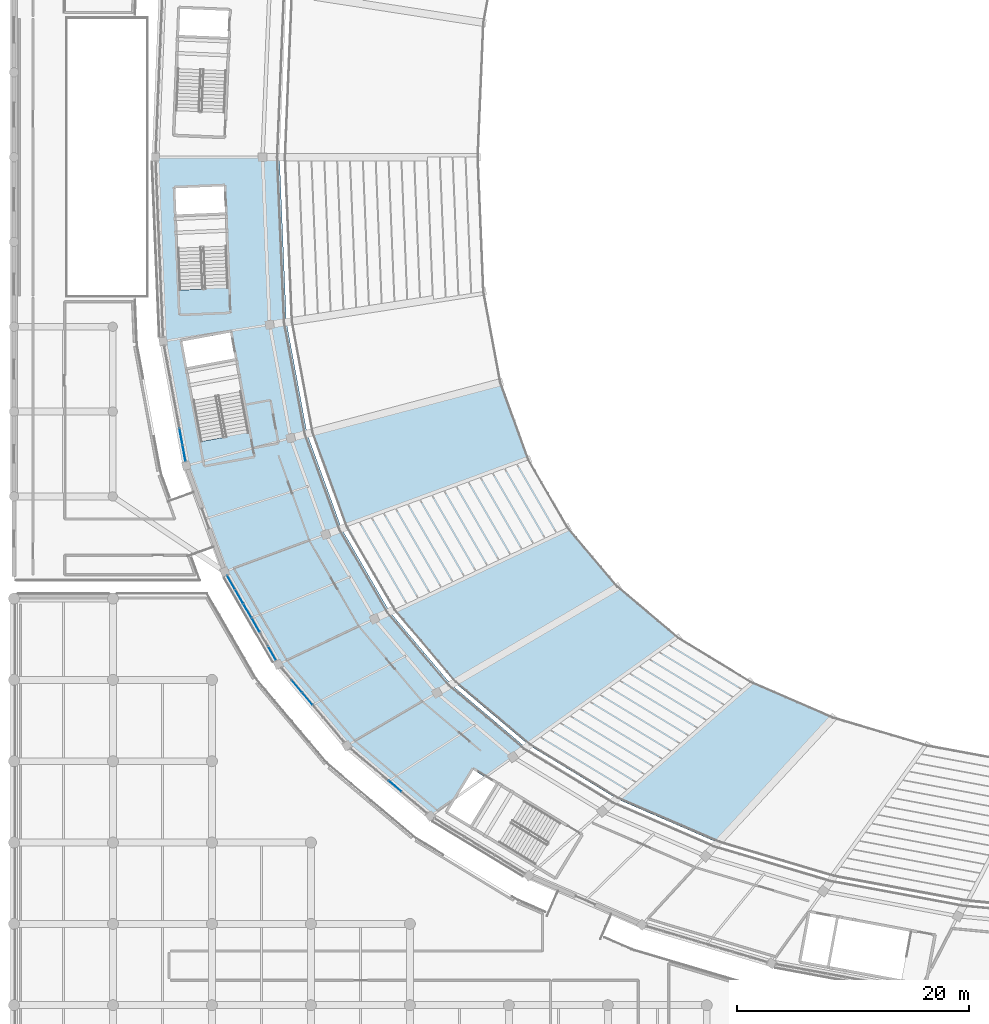
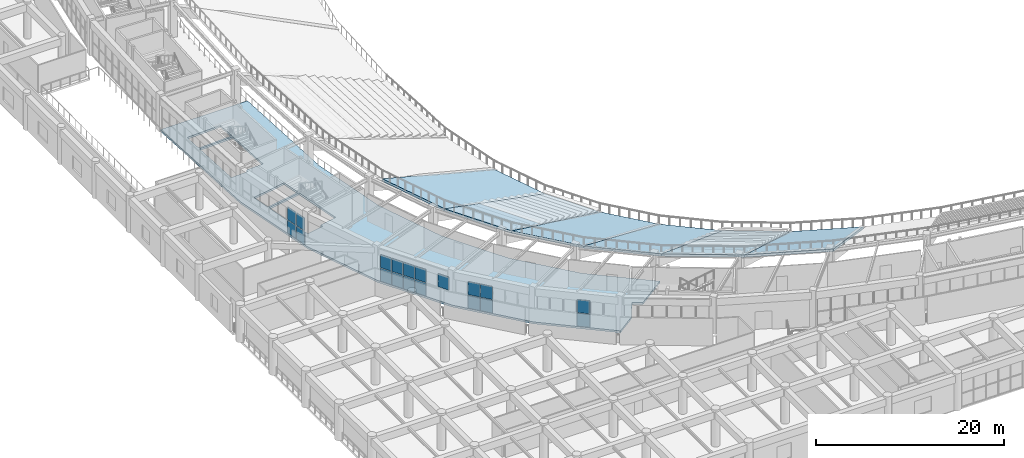
# One storey, part 75 of 137: 19 plates, 7 slabs, 4 elements without a shape of their own.
"""IFC4 building model written with IfcOpenShell, lengths in metres."""

from ifc_helpers import new_model, si_unit, direction, frame, origin, origin_2d, place, context, subcontext, project, spatial, polyline, rectangle, outline, extrude, material, layer, layer_set, type_object, element, aggregate, save


model = new_model("IFC4")

# Units and contexts
model_context = context("Model", 3, precision=1e-05, world=origin(), true_north=direction((0.0, 1.0)))
body_context = subcontext(model_context, "Body", "Model", "MODEL_VIEW")
ifc_project = project(units=[si_unit("LENGTHUNIT", "METRE"), si_unit("AREAUNIT", "SQUARE_METRE"), si_unit("VOLUMEUNIT", "CUBIC_METRE"), si_unit("PLANEANGLEUNIT", "RADIAN"), si_unit("MASSUNIT", "GRAM", prefix="KILO")], contexts=[model_context])

# Site, building, storey
site_placement = place(None, origin())
site = spatial("IfcSite", under=ifc_project, at=site_placement, CompositionType="ELEMENT")
building_placement = place(site_placement, origin())
building = spatial("IfcBuilding", under=site, at=building_placement, Name="Mphavela Belvedere Stadium", CompositionType="ELEMENT")
storey_placement = place(building_placement, frame((0.0, 0.0, 19.199951171875)))
storey = spatial("IfcBuildingStorey", under=building, at=storey_placement, Name="L04", CompositionType="ELEMENT", Elevation=19.199951171875)

# Curtain wall, plates
ifc_material_1 = material(Name="Anodised bronze unitised curtain wall framing")
ifc_layer_1 = layer(ifc_material_1, 0.18505859375)
ifc_layer_set_1 = layer_set([ifc_layer_1], Name="Anodised bronze unitised curtain wall framing")
curtain_wall_type_1 = type_object("IfcCurtainWallType", Name="CW-UNIT-02", PredefinedType="USERDEFINED", material=ifc_layer_set_1)
curtain_wall_1_placement = place(storey_placement, origin())
curtain_wall_1 = element("IfcCurtainWall", 1, at=curtain_wall_1_placement, inside=storey, type_object=curtain_wall_type_1, Name="Belvedere colonnade curtain wall L04-26", ObjectType="UNITISED CURTAIN WALL", PredefinedType="USERDEFINED")
ifc_material_2 = material(Name="Solar-control double glazing", Category="glass")
ifc_layer_2 = layer(ifc_material_2, 0.031982421875)
ifc_layer_set_2 = layer_set([ifc_layer_2], Name="Solar-control double glazing")
plate_type = type_object("IfcPlateType", Name="CWP-SOLAR-GLASS", PredefinedType="CURTAIN_PANEL", material=ifc_layer_set_2)
plate_1_placement = place(storey_placement, frame((14.37255859375, 62.9296875, 0.06005859375), z_axis=(0.0, 0.0, 1.0), x_axis=(0.182618040183, -0.98318393569, 0.0)))
plate_1 = element("IfcPlate", 2, at=plate_1_placement, type_object=plate_type, Name="CW-02 panel 6.1", PredefinedType="CURTAIN_PANEL", context=body_context, shape_type="SweptSolid", body=[
    extrude(rectangle(XDim=1.392822265625, YDim=0.031982421875, at=origin_2d()), origin(), (0.0, 0.0, 1.0), 1.695068359375),
])
plate_2_placement = place(storey_placement, frame((14.37255859375, 62.9296875, 1.81494140625), z_axis=(0.0, 0.0, 1.0), x_axis=(0.182618040183, -0.98318393569, 0.0)))
plate_2 = element("IfcPlate", 3, at=plate_2_placement, type_object=plate_type, Name="CW-02 panel 6.2", PredefinedType="CURTAIN_PANEL", context=body_context, shape_type="SweptSolid", body=[
    extrude(rectangle(XDim=1.392822265625, YDim=0.031982421875, at=origin_2d()), origin(), (0.0, 0.0, 1.0), 1.695068359375),
])
plate_3_placement = place(storey_placement, frame((14.6357421875, 61.51220703125, 0.06005859375), z_axis=(0.0, 0.0, 1.0), x_axis=(0.182618040183, -0.98318393569, 0.0)))
plate_3 = element("IfcPlate", 4, at=plate_3_placement, type_object=plate_type, Name="CW-02 panel 7.1", PredefinedType="CURTAIN_PANEL", context=body_context, shape_type="SweptSolid", body=[
    extrude(rectangle(XDim=1.3603515625, YDim=0.031982421875, at=origin_2d()), origin(), (0.0, 0.0, 1.0), 1.695068359375),
])
plate_4_placement = place(storey_placement, frame((14.6357421875, 61.51220703125, 1.81494140625), z_axis=(0.0, 0.0, 1.0), x_axis=(0.182618040183, -0.98318393569, 0.0)))
plate_4 = element("IfcPlate", 5, at=plate_4_placement, type_object=plate_type, Name="CW-02 panel 7.2", PredefinedType="CURTAIN_PANEL", context=body_context, shape_type="SweptSolid", body=[
    extrude(rectangle(XDim=1.3603515625, YDim=0.031982421875, at=origin_2d()), origin(), (0.0, 0.0, 1.0), 1.695068359375),
])
aggregate(curtain_wall_1, [plate_1, plate_2, plate_3, plate_4])

ifc_material_3 = material(Name="Anodised bronze unitised curtain wall framing")
ifc_layer_3 = layer(ifc_material_3, 0.18994140625)
ifc_layer_set_3 = layer_set([ifc_layer_3], Name="Anodised bronze unitised curtain wall framing")
curtain_wall_type_2 = type_object("IfcCurtainWallType", Name="CW-UNIT-03", PredefinedType="USERDEFINED", material=ifc_layer_set_3)
curtain_wall_2_placement = place(storey_placement, origin())
curtain_wall_2 = element("IfcCurtainWall", 6, at=curtain_wall_2_placement, inside=storey, type_object=curtain_wall_type_2, Name="Belvedere colonnade curtain wall L04-28", ObjectType="UNITISED CURTAIN WALL", PredefinedType="USERDEFINED")
plate_5_placement = place(storey_placement, frame((18.681640625, 50.3876953125, 0.06005859375), z_axis=(0.0, 0.0, 1.0), x_axis=(0.500555998906, -0.865704159606, 0.0)))
plate_5 = element("IfcPlate", 7, at=plate_5_placement, type_object=plate_type, Name="CW-03 panel 1.1", PredefinedType="CURTAIN_PANEL", context=body_context, shape_type="SweptSolid", body=[
    extrude(rectangle(XDim=1.32275390625, YDim=0.031982421875, at=origin_2d()), origin(), (0.0, 0.0, 1.0), 1.695068359375),
])
plate_6_placement = place(storey_placement, frame((18.681640625, 50.3876953125, 1.81494140625), z_axis=(0.0, 0.0, 1.0), x_axis=(0.500555998906, -0.865704159606, 0.0)))
plate_6 = element("IfcPlate", 8, at=plate_6_placement, type_object=plate_type, Name="CW-03 panel 1.2", PredefinedType="CURTAIN_PANEL", context=body_context, shape_type="SweptSolid", body=[
    extrude(rectangle(XDim=1.32275390625, YDim=0.031982421875, at=origin_2d()), origin(), (0.0, 0.0, 1.0), 1.695068359375),
])
plate_7_placement = place(storey_placement, frame((19.384521484375, 49.17236328125, 0.06005859375), z_axis=(0.0, 0.0, 1.0), x_axis=(0.500555998906, -0.865704159606, 0.0)))
plate_7 = element("IfcPlate", 9, at=plate_7_placement, type_object=plate_type, Name="CW-03 panel 2.1", PredefinedType="CURTAIN_PANEL", context=body_context, shape_type="SweptSolid", body=[
    extrude(rectangle(XDim=1.355224609375, YDim=0.031982421875, at=origin_2d()), origin(), (0.0, 0.0, 1.0), 1.695068359375),
])
plate_8_placement = place(storey_placement, frame((19.384521484375, 49.17236328125, 1.81494140625), z_axis=(0.0, 0.0, 1.0), x_axis=(0.500555998906, -0.865704159606, 0.0)))
plate_8 = element("IfcPlate", 10, at=plate_8_placement, type_object=plate_type, Name="CW-03 panel 2.2", PredefinedType="CURTAIN_PANEL", context=body_context, shape_type="SweptSolid", body=[
    extrude(rectangle(XDim=1.355224609375, YDim=0.031982421875, at=origin_2d()), origin(), (0.0, 0.0, 1.0), 1.695068359375),
])
plate_9_placement = place(storey_placement, frame((20.09521484375, 47.94287109375, 0.06005859375), z_axis=(0.0, 0.0, 1.0), x_axis=(0.500555998906, -0.865704159606, 0.0)))
plate_9 = element("IfcPlate", 11, at=plate_9_placement, type_object=plate_type, Name="CW-03 panel 3.1", PredefinedType="CURTAIN_PANEL", context=body_context, shape_type="SweptSolid", body=[
    extrude(rectangle(XDim=1.355224609375, YDim=0.031982421875, at=origin_2d()), origin(), (0.0, 0.0, 1.0), 1.695068359375),
])
plate_10_placement = place(storey_placement, frame((20.09521484375, 47.94287109375, 1.81494140625), z_axis=(0.0, 0.0, 1.0), x_axis=(0.500555998906, -0.865704159606, 0.0)))
plate_10 = element("IfcPlate", 12, at=plate_10_placement, type_object=plate_type, Name="CW-03 panel 3.2", PredefinedType="CURTAIN_PANEL", context=body_context, shape_type="SweptSolid", body=[
    extrude(rectangle(XDim=1.355224609375, YDim=0.031982421875, at=origin_2d()), origin(), (0.0, 0.0, 1.0), 1.695068359375),
])
plate_11_placement = place(storey_placement, frame((20.80615234375, 46.71337890625, 0.06005859375), z_axis=(0.0, 0.0, 1.0), x_axis=(0.500555998906, -0.865704159606, 0.0)))
plate_11 = element("IfcPlate", 13, at=plate_11_placement, type_object=plate_type, Name="CW-03 panel 4.1", PredefinedType="CURTAIN_PANEL", context=body_context, shape_type="SweptSolid", body=[
    extrude(rectangle(XDim=1.355224609375, YDim=0.031982421875, at=origin_2d()), origin(), (0.0, 0.0, 1.0), 1.695068359375),
])
plate_12_placement = place(storey_placement, frame((20.80615234375, 46.71337890625, 1.81494140625), z_axis=(0.0, 0.0, 1.0), x_axis=(0.500555998906, -0.865704159606, 0.0)))
plate_12 = element("IfcPlate", 14, at=plate_12_placement, type_object=plate_type, Name="CW-03 panel 4.2", PredefinedType="CURTAIN_PANEL", context=body_context, shape_type="SweptSolid", body=[
    extrude(rectangle(XDim=1.355224609375, YDim=0.031982421875, at=origin_2d()), origin(), (0.0, 0.0, 1.0), 1.695068359375),
])
plate_13_placement = place(storey_placement, frame((22.2197265625, 44.2685546875, 1.81494140625), z_axis=(0.0, 0.0, 1.0), x_axis=(0.500555998906, -0.865704159606, 0.0)))
plate_13 = element("IfcPlate", 15, at=plate_13_placement, type_object=plate_type, Name="CW-03 panel 6.2", PredefinedType="CURTAIN_PANEL", context=body_context, shape_type="SweptSolid", body=[
    extrude(rectangle(XDim=1.32275390625, YDim=0.031982421875, at=origin_2d()), origin(), (0.0, 0.0, 1.0), 1.695068359375),
])
aggregate(curtain_wall_2, [plate_5, plate_6, plate_7, plate_8, plate_9, plate_10, plate_11, plate_12, plate_13])

ifc_material_4 = material(Name="Anodised bronze unitised curtain wall framing")
ifc_layer_4 = layer(ifc_material_4, 0.195068359375)
ifc_layer_set_4 = layer_set([ifc_layer_4], Name="Anodised bronze unitised curtain wall framing")
curtain_wall_type_3 = type_object("IfcCurtainWallType", Name="CW-UNIT-04", PredefinedType="USERDEFINED", material=ifc_layer_set_4)
curtain_wall_3_placement = place(storey_placement, origin())
curtain_wall_3 = element("IfcCurtainWall", 16, at=curtain_wall_3_placement, inside=storey, type_object=curtain_wall_type_3, Name="Belvedere colonnade curtain wall L04-29", ObjectType="UNITISED CURTAIN WALL", PredefinedType="USERDEFINED")
plate_14_placement = place(storey_placement, frame((24.345703125, 41.45751953125, 0.06005859375), z_axis=(0.0, 0.0, 1.0), x_axis=(0.645175294774, -0.764034579723, 0.0)))
plate_14 = element("IfcPlate", 17, at=plate_14_placement, type_object=plate_type, Name="CW-04 panel 2.1", PredefinedType="CURTAIN_PANEL", context=body_context, shape_type="SweptSolid", body=[
    extrude(rectangle(XDim=1.34423828125, YDim=0.031982421875, at=origin_2d()), origin(), (0.0, 0.0, 1.0), 1.695068359375),
])
plate_15_placement = place(storey_placement, frame((24.345703125, 41.45751953125, 1.81494140625), z_axis=(0.0, 0.0, 1.0), x_axis=(0.645175294774, -0.764034579723, 0.0)))
plate_15 = element("IfcPlate", 18, at=plate_15_placement, type_object=plate_type, Name="CW-04 panel 2.2", PredefinedType="CURTAIN_PANEL", context=body_context, shape_type="SweptSolid", body=[
    extrude(rectangle(XDim=1.34423828125, YDim=0.031982421875, at=origin_2d()), origin(), (0.0, 0.0, 1.0), 1.695068359375),
])
plate_16_placement = place(storey_placement, frame((25.2548828125, 40.380859375, 0.06005859375), z_axis=(0.0, 0.0, 1.0), x_axis=(0.645175294774, -0.764034579723, 0.0)))
plate_16 = element("IfcPlate", 19, at=plate_16_placement, type_object=plate_type, Name="CW-04 panel 3.1", PredefinedType="CURTAIN_PANEL", context=body_context, shape_type="SweptSolid", body=[
    extrude(rectangle(XDim=1.34423828125, YDim=0.031982421875, at=origin_2d()), origin(), (0.0, 0.0, 1.0), 1.695068359375),
])
plate_17_placement = place(storey_placement, frame((25.2548828125, 40.380859375, 1.81494140625), z_axis=(0.0, 0.0, 1.0), x_axis=(0.645175294774, -0.764034579723, 0.0)))
plate_17 = element("IfcPlate", 20, at=plate_17_placement, type_object=plate_type, Name="CW-04 panel 3.2", PredefinedType="CURTAIN_PANEL", context=body_context, shape_type="SweptSolid", body=[
    extrude(rectangle(XDim=1.34423828125, YDim=0.031982421875, at=origin_2d()), origin(), (0.0, 0.0, 1.0), 1.695068359375),
])
aggregate(curtain_wall_3, [plate_14, plate_15, plate_16, plate_17])

ifc_material_5 = material(Name="Anodised bronze unitised curtain wall framing")
ifc_layer_5 = layer(ifc_material_5, 0.199951171875)
ifc_layer_set_5 = layer_set([ifc_layer_5], Name="Anodised bronze unitised curtain wall framing")
curtain_wall_type_4 = type_object("IfcCurtainWallType", Name="CW-UNIT-05", PredefinedType="USERDEFINED", material=ifc_layer_set_5)
curtain_wall_4_placement = place(storey_placement, origin())
curtain_wall_4 = element("IfcCurtainWall", 21, at=curtain_wall_4_placement, inside=storey, type_object=curtain_wall_type_4, Name="Belvedere colonnade curtain wall L04-30", ObjectType="UNITISED CURTAIN WALL", PredefinedType="USERDEFINED")
plate_18_placement = place(storey_placement, frame((32.807373046875, 32.848388671875, 0.06005859375), z_axis=(0.0, 0.0, 1.0), x_axis=(0.764253429051, -0.644916038089, 0.0)))
plate_18 = element("IfcPlate", 22, at=plate_18_placement, type_object=plate_type, Name="CW-05 panel 4.1", PredefinedType="CURTAIN_PANEL", context=body_context, shape_type="SweptSolid", body=[
    extrude(rectangle(XDim=1.38525390625, YDim=0.031982421875, at=origin_2d()), origin(), (0.0, 0.0, 1.0), 1.695068359375),
])
plate_19_placement = place(storey_placement, frame((32.807373046875, 32.848388671875, 1.81494140625), z_axis=(0.0, 0.0, 1.0), x_axis=(0.764253429051, -0.644916038089, 0.0)))
plate_19 = element("IfcPlate", 23, at=plate_19_placement, type_object=plate_type, Name="CW-05 panel 4.2", PredefinedType="CURTAIN_PANEL", context=body_context, shape_type="SweptSolid", body=[
    extrude(rectangle(XDim=1.38525390625, YDim=0.031982421875, at=origin_2d()), origin(), (0.0, 0.0, 1.0), 1.695068359375),
])
aggregate(curtain_wall_4, [plate_18, plate_19])

# Slabs
ifc_material_6 = material(Name="Concrete C40/50", Category="concrete")
ifc_layer_6 = layer(ifc_material_6, 0.25)
ifc_layer_set_6 = layer_set([ifc_layer_6], Name="Concrete C40/50")
slab_type_1 = type_object("IfcSlabType", Name="SLB-CONCOURSE-250", PredefinedType="FLOOR", material=ifc_layer_set_6)
slab_1_placement = place(storey_placement, frame((0.0, 0.0, -0.25)))
element("IfcSlab", 24, at=slab_1_placement, inside=storey, type_object=slab_type_1, Name="Concourse sector slab L04-S5", PredefinedType="FLOOR", context=body_context, shape_type="SweptSolid", body=[
    extrude(outline(polyline([(18.143798828125, 51.317626953125), (14.83544921875, 60.4375), (12.844482421875, 71.155029296875), (12.179931640625, 87.0), (22.85009765625, 87.0), (23.445556640625, 72.79931640625), (25.229736328125, 63.194091796875), (28.195068359375, 55.0205078125), (32.329833984375, 47.869384765625), (37.621337890625, 41.60302734375), (44.05859375, 36.1708984375), (40.532958984375, 33.644775390625), (39.5341796875, 34.252197265625), (38.10791015625, 31.9072265625), (35.844482421875, 30.285400390625), (28.66162109375, 36.346435546875), (22.757568359375, 43.33837890625), (18.143798828125, 51.317626953125)]), holes=[polyline([(16.327880859375, 75.97509765625), (18.421142578125, 76.062744140625), (18.17138671875, 82.017578125), (13.985107421875, 81.842041015625), (14.248779296875, 75.551513671875), (16.342041015625, 75.639404296875), (16.327880859375, 75.97509765625)]), polyline([(18.067626953125, 84.495361328125), (13.88134765625, 84.31982421875), (13.97607421875, 82.061767578125), (18.162353515625, 82.2373046875), (18.067626953125, 84.495361328125)]), polyline([(16.08642578125, 62.51025390625), (18.146240234375, 62.892578125), (18.0849609375, 63.222900390625), (20.144775390625, 63.60546875), (19.056396484375, 69.46533203125), (14.93701171875, 68.7001953125), (16.08642578125, 62.51025390625)]), polyline([(14.896728515625, 68.91650390625), (19.016357421875, 69.681640625), (18.603759765625, 71.903564453125), (14.484130859375, 71.138671875), (14.896728515625, 68.91650390625)])]), origin(), (0.0, 0.0, 1.0), 0.25),
])
ifc_material_7 = material(Name="Precast concrete C45/55", Category="concrete")
ifc_layer_7 = layer(ifc_material_7, 0.25)
ifc_layer_set_7 = layer_set([ifc_layer_7], Name="Precast concrete C45/55")
slab_type_2 = type_object("IfcSlabType", Name="SLB-TIER-UPPER", PredefinedType="USERDEFINED", material=ifc_layer_set_7)
slab_2_placement = place(storey_placement, frame((41.86083984375, 67.6044921875, -3.75), z_axis=(0.364303562407, 0.132165132408, 0.921854268414), x_axis=(0.341054048272, -0.940043688406, -6.732313e-06)))
element("IfcSlab", 25, at=slab_2_placement, inside=storey, type_object=slab_type_2, Name="Upper seating tier slab L04-27", ObjectType="SEATING TIER", PredefinedType="USERDEFINED", context=body_context, shape_type="SweptSolid", body=[
    extrude(outline(polyline([(0.0, 0.0), (7.083911744790468, 0.0), (7.166113396888669, -18.06292905996507), (-1.482716893265294, -18.062655749768563), (0.0, 0.0)])), origin(), (0.0, 0.0, -1.0), 0.25),
])
slab_3_placement = place(storey_placement, frame((44.27685546875, 60.9453125, -3.75), z_axis=(0.339708917201, 0.196414847885, 0.919792943605), x_axis=(0.500533096558, -0.865717401482, 4.561319e-06)))
element("IfcSlab", 26, at=slab_3_placement, inside=storey, type_object=slab_type_2, Name="Upper seating tier slab L04-28", ObjectType="SEATING TIER", PredefinedType="USERDEFINED", context=body_context, shape_type="SweptSolid", body=[
    extrude(outline(polyline([(0.0, 0.0), (6.730151721846243, 0.0), (5.379586547682475, -17.838693069106842), (-2.8374273694811505, -17.838866815507657), (0.0, 0.0)])), origin(), (0.0, 0.0, -1.0), 0.25),
])
slab_4_placement = place(storey_placement, frame((47.6455078125, 55.118896484375, -3.75), z_axis=(0.307633638893, 0.259771421762, 0.915358046153), x_axis=(0.645178517951, -0.764031857939, -5.43307e-06)))
element("IfcSlab", 27, at=slab_4_placement, inside=storey, type_object=slab_type_2, Name="Upper seating tier slab L04-29", ObjectType="SEATING TIER", PredefinedType="USERDEFINED", context=body_context, shape_type="SweptSolid", body=[
    extrude(outline(polyline([(0.0, 0.0), (6.682285561940349, -4.440892098500626e-16), (3.9394437872787362, -17.385274120978465), (-4.219265752703822, -17.385073862686518), (0.0, 0.0)])), origin(), (0.0, 0.0, -1.0), 0.25),
])
slab_5_placement = place(storey_placement, frame((51.956787109375, 50.013427734375, -3.75), z_axis=(0.26936235005, 0.319213787463, 0.908595885017), x_axis=(0.76424909441, -0.644921174734, 8.583252e-06)))
element("IfcSlab", 28, at=slab_5_placement, inside=storey, type_object=slab_type_2, Name="Upper seating tier slab L04-30", ObjectType="SEATING TIER", PredefinedType="USERDEFINED", context=body_context, shape_type="SweptSolid", body=[
    extrude(outline(polyline([(0.0, 0.0), (6.8624829349822045, -4.440892098500626e-16), (3.0041203220045305, -16.75932699972067), (-5.3745136956919755, -16.75964020480697), (0.0, 0.0)])), origin(), (0.0, 0.0, -1.0), 0.25),
])
slab_6_placement = place(storey_placement, frame((57.201416015625, 45.587646484375, -3.75), z_axis=(0.226551553649, 0.372390181398, 0.899999970187), x_axis=(0.854326477415, -0.519736731401, -4.594551e-06)))
element("IfcSlab", 29, at=slab_6_placement, inside=storey, type_object=slab_type_2, Name="Upper seating tier slab L04-31", ObjectType="SEATING TIER", PredefinedType="USERDEFINED", context=body_context, shape_type="SweptSolid", body=[
    extrude(outline(polyline([(0.0, 0.0), (7.230249505563686, 4.440892098500626e-16), (2.673516066064429, -16.059127284525168), (-6.154012566883175, -16.058958025546808), (0.0, 0.0)])), origin(), (0.0, 0.0, -1.0), 0.25),
])
slab_7_placement = place(storey_placement, frame((63.37841796875, 41.829833984375, -3.75), z_axis=(0.181043516058, 0.417651973305, 0.890387597896), x_axis=(0.917506392858, -0.397721031711, 4.38405e-07)))
element("IfcSlab", 30, at=slab_7_placement, inside=storey, type_object=slab_type_2, Name="Upper seating tier slab L04-32", ObjectType="SEATING TIER", PredefinedType="USERDEFINED", context=body_context, shape_type="SweptSolid", body=[
    extrude(outline(polyline([(0.0, 0.0), (7.766412495493663, 4.440892098500626e-16), (2.987256082165789, -15.377745937574787), (-6.494906292424061, -15.377762549643226), (0.0, 0.0)])), origin(), (0.0, 0.0, -1.0), 0.25),
])

save(model, "model.ifc")
